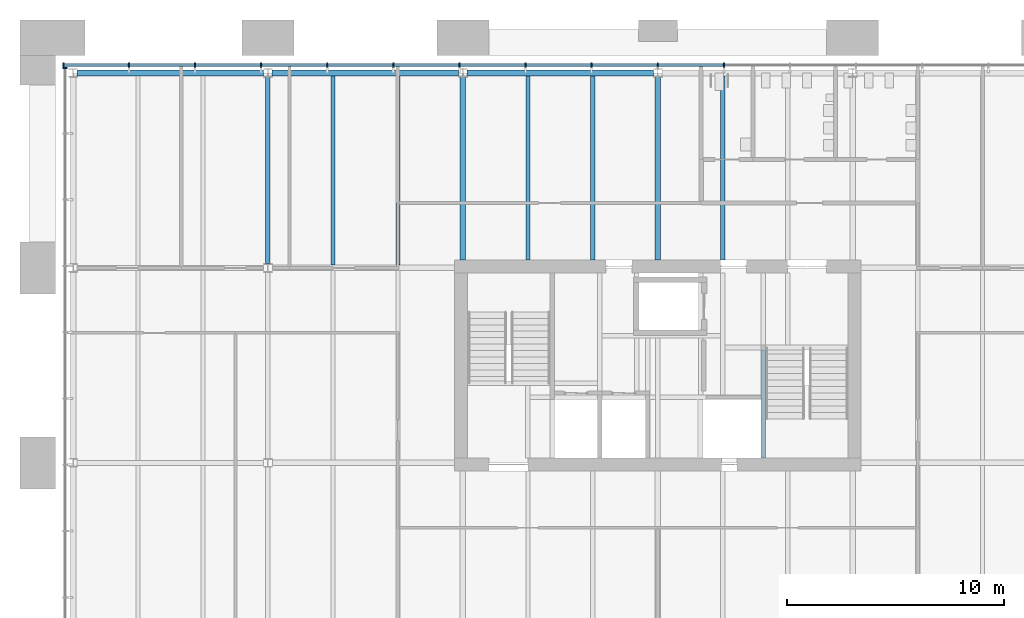
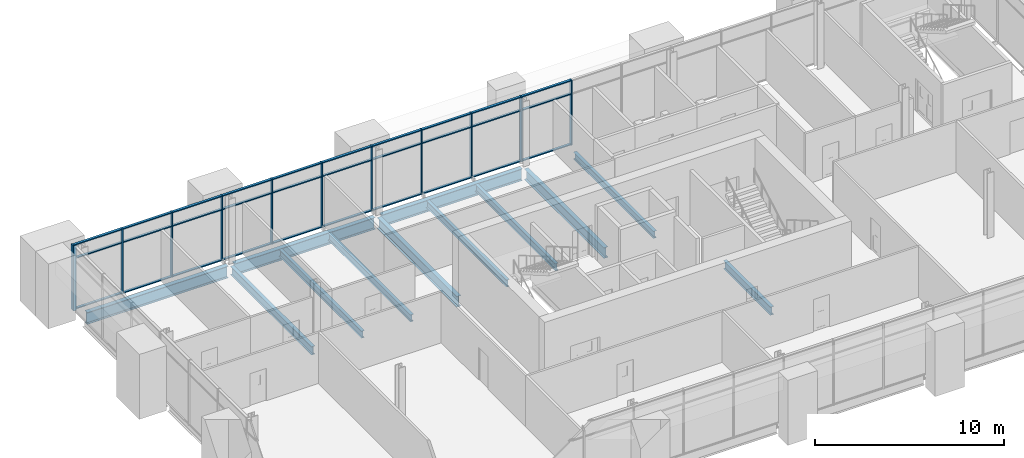
# One storey, part 12 of 43: 42 members, 12 beams, 2 elements without a shape of their own.
"""IFC4 building model written with IfcOpenShell, lengths in metres."""

from ifc_helpers import new_model, si_unit, direction, frame, origin, origin_2d, place, context, subcontext, project, spatial, rectangle, i_section, extrude, material, material_profile, profile_set, type_object, element, aggregate, save


model = new_model("IFC4")

# Units and contexts
model_context = context("Model", 3, precision=1e-05, world=origin(), true_north=direction((0.0, 1.0)))
body_context = subcontext(model_context, "Body", "Model", "MODEL_VIEW")
ifc_project = project(units=[si_unit("LENGTHUNIT", "METRE"), si_unit("AREAUNIT", "SQUARE_METRE"), si_unit("VOLUMEUNIT", "CUBIC_METRE"), si_unit("PLANEANGLEUNIT", "RADIAN"), si_unit("MASSUNIT", "GRAM", prefix="KILO")], contexts=[model_context])

# Site, building, storey
site_placement = place(None, origin())
site = spatial("IfcSite", under=ifc_project, at=site_placement, CompositionType="ELEMENT")
building_placement = place(site_placement, origin())
building = spatial("IfcBuilding", under=site, at=building_placement, Name="Baradari Gate Terminus", CompositionType="ELEMENT")
storey_placement = place(building_placement, frame((0.0, 0.0, 20.10009765625)))
storey = spatial("IfcBuildingStorey", under=building, at=storey_placement, Name="L04", CompositionType="ELEMENT", Elevation=20.10009765625)

# Beam
ifc_material_1 = material(Name="Steel S355", Category="steel")
ifc_material_profile_1 = material_profile(ifc_material_1, i_section(OverallWidth=0.209228515625, OverallDepth=0.533203125, WebThickness=0.010009765625, FlangeThickness=0.015625, FilletRadius=0.0126953125, at=origin_2d()), Name="UB 533x210x92")
ifc_profile_set_1 = profile_set([ifc_material_profile_1], Name="Steel S355")
beam_type_1 = type_object("IfcBeamType", Name="Core floor trimmer beam B22 UB 533x210x92", PredefinedType="BEAM", material=ifc_profile_set_1)
beam_1_placement = place(storey_placement, frame((40.875, 126.22509765625, -0.396728515625), z_axis=(0.0, 1.0, 0.0), x_axis=(-1.0, 0.0, 0.0)))
element("IfcBeam", 1, at=beam_1_placement, inside=storey, type_object=beam_type_1, Name="Core floor trimmer beam B22 40.875:126.225-131.22 L04", PredefinedType="BEAM", context=body_context, shape_type="SweptSolid", body=[
    extrude(i_section(OverallWidth=0.209228515625, OverallDepth=0.533203125, WebThickness=0.010009765625, FlangeThickness=0.015625, FilletRadius=0.0126953125, at=origin_2d()), origin(), (0.0, 0.0, 1.0), 4.9951171875),
])

# Curtain wall, members
ifc_material_2 = material(Name="Aluminium 6063-T6", Category="aluminium")
curtain_wall_type = type_object("IfcCurtainWallType", Name="Curtain wall CW-1 block unitised, zone L02-L05", PredefinedType="NOTDEFINED", material=ifc_material_2)
curtain_wall_1_placement = place(storey_placement, origin())
curtain_wall_1 = element("IfcCurtainWall", 2, at=curtain_wall_1_placement, inside=storey, type_object=curtain_wall_type, Name="Curtain wall CW-1 Operations block N face L04", PredefinedType="NOTDEFINED")
ifc_material_3 = material(Name="Aluminium 6063-T6", Category="aluminium")
ifc_material_profile_2 = material_profile(ifc_material_3, rectangle(XDim=0.199951171875, YDim=0.06494140625, at=origin_2d()), Name="CM-1 65X200")
ifc_profile_set_2 = profile_set([ifc_material_profile_2], Name="Aluminium 6063-T6")
member_type_1 = type_object("IfcMemberType", Name="Curtain wall mullion CM-1 65x200", PredefinedType="MULLION", material=ifc_profile_set_2)
member_1_placement = place(storey_placement, frame((8.5625, 144.3701171875, 0.0), z_axis=(0.0, 0.0, 1.0), x_axis=(0.0, 1.0, 0.0)))
member_1 = element("IfcMember", 3, at=member_1_placement, type_object=member_type_1, Name="CW-1 mullion 1", PredefinedType="MULLION", context=body_context, shape_type="SweptSolid", body=[
    extrude(rectangle(XDim=0.199951171875, YDim=0.06494140625, at=origin_2d()), origin(), (0.0, 0.0, 1.0), 4.199951171875),
])
member_2_placement = place(storey_placement, frame((11.582275390625, 144.3701171875, 0.0), z_axis=(0.0, 0.0, 1.0), x_axis=(0.0, 1.0, 0.0)))
member_2 = element("IfcMember", 4, at=member_2_placement, type_object=member_type_1, Name="CW-1 mullion 2", PredefinedType="MULLION", context=body_context, shape_type="SweptSolid", body=[
    extrude(rectangle(XDim=0.199951171875, YDim=0.06494140625, at=origin_2d()), origin(), (0.0, 0.0, 1.0), 4.199951171875),
])
member_3_placement = place(storey_placement, frame((14.634521484375, 144.3701171875, 0.0), z_axis=(0.0, 0.0, 1.0), x_axis=(0.0, 1.0, 0.0)))
member_3 = element("IfcMember", 5, at=member_3_placement, type_object=member_type_1, Name="CW-1 mullion 3", PredefinedType="MULLION", context=body_context, shape_type="SweptSolid", body=[
    extrude(rectangle(XDim=0.199951171875, YDim=0.06494140625, at=origin_2d()), origin(), (0.0, 0.0, 1.0), 4.199951171875),
])
member_4_placement = place(storey_placement, frame((17.686767578125, 144.3701171875, 0.0), z_axis=(0.0, 0.0, 1.0), x_axis=(0.0, 1.0, 0.0)))
member_4 = element("IfcMember", 6, at=member_4_placement, type_object=member_type_1, Name="CW-1 mullion 4", PredefinedType="MULLION", context=body_context, shape_type="SweptSolid", body=[
    extrude(rectangle(XDim=0.199951171875, YDim=0.06494140625, at=origin_2d()), origin(), (0.0, 0.0, 1.0), 4.199951171875),
])
member_5_placement = place(storey_placement, frame((20.73876953125, 144.3701171875, 0.0), z_axis=(0.0, 0.0, 1.0), x_axis=(0.0, 1.0, 0.0)))
member_5 = element("IfcMember", 7, at=member_5_placement, type_object=member_type_1, Name="CW-1 mullion 5", PredefinedType="MULLION", context=body_context, shape_type="SweptSolid", body=[
    extrude(rectangle(XDim=0.199951171875, YDim=0.06494140625, at=origin_2d()), origin(), (0.0, 0.0, 1.0), 4.199951171875),
])
member_6_placement = place(storey_placement, frame((23.791015625, 144.3701171875, 0.0), z_axis=(0.0, 0.0, 1.0), x_axis=(0.0, 1.0, 0.0)))
member_6 = element("IfcMember", 8, at=member_6_placement, type_object=member_type_1, Name="CW-1 mullion 6", PredefinedType="MULLION", context=body_context, shape_type="SweptSolid", body=[
    extrude(rectangle(XDim=0.199951171875, YDim=0.06494140625, at=origin_2d()), origin(), (0.0, 0.0, 1.0), 4.199951171875),
])
member_7_placement = place(storey_placement, frame((26.84326171875, 144.3701171875, 0.0), z_axis=(0.0, 0.0, 1.0), x_axis=(0.0, 1.0, 0.0)))
member_7 = element("IfcMember", 9, at=member_7_placement, type_object=member_type_1, Name="CW-1 mullion 7", PredefinedType="MULLION", context=body_context, shape_type="SweptSolid", body=[
    extrude(rectangle(XDim=0.199951171875, YDim=0.06494140625, at=origin_2d()), origin(), (0.0, 0.0, 1.0), 4.199951171875),
])
member_8_placement = place(storey_placement, frame((29.8955078125, 144.3701171875, 0.0), z_axis=(0.0, 0.0, 1.0), x_axis=(0.0, 1.0, 0.0)))
member_8 = element("IfcMember", 10, at=member_8_placement, type_object=member_type_1, Name="CW-1 mullion 8", PredefinedType="MULLION", context=body_context, shape_type="SweptSolid", body=[
    extrude(rectangle(XDim=0.199951171875, YDim=0.06494140625, at=origin_2d()), origin(), (0.0, 0.0, 1.0), 4.199951171875),
])
member_9_placement = place(storey_placement, frame((32.94775390625, 144.3701171875, 0.0), z_axis=(0.0, 0.0, 1.0), x_axis=(0.0, 1.0, 0.0)))
member_9 = element("IfcMember", 11, at=member_9_placement, type_object=member_type_1, Name="CW-1 mullion 9", PredefinedType="MULLION", context=body_context, shape_type="SweptSolid", body=[
    extrude(rectangle(XDim=0.199951171875, YDim=0.06494140625, at=origin_2d()), origin(), (0.0, 0.0, 1.0), 4.199951171875),
])
member_10_placement = place(storey_placement, frame((36.0, 144.3701171875, 0.0), z_axis=(0.0, 0.0, 1.0), x_axis=(0.0, 1.0, 0.0)))
member_10 = element("IfcMember", 12, at=member_10_placement, type_object=member_type_1, Name="CW-1 mullion 10", PredefinedType="MULLION", context=body_context, shape_type="SweptSolid", body=[
    extrude(rectangle(XDim=0.199951171875, YDim=0.06494140625, at=origin_2d()), origin(), (0.0, 0.0, 1.0), 4.199951171875),
])
member_11_placement = place(storey_placement, frame((39.05224609375, 144.3701171875, 0.0), z_axis=(0.0, 0.0, 1.0), x_axis=(0.0, 1.0, 0.0)))
member_11 = element("IfcMember", 13, at=member_11_placement, type_object=member_type_1, Name="CW-1 mullion 11", PredefinedType="MULLION", context=body_context, shape_type="SweptSolid", body=[
    extrude(rectangle(XDim=0.199951171875, YDim=0.06494140625, at=origin_2d()), origin(), (0.0, 0.0, 1.0), 4.199951171875),
])

# Curtain wall, member
curtain_wall_2_placement = place(storey_placement, origin())
curtain_wall_2 = element("IfcCurtainWall", 14, at=curtain_wall_2_placement, inside=storey, type_object=curtain_wall_type, Name="Curtain wall CW-1 Operations block W face L04", PredefinedType="NOTDEFINED")
member_12_placement = place(storey_placement, frame((8.6298828125, 144.237548828125, 0.0), z_axis=(0.0, 0.0, 1.0), x_axis=(-1.0, 0.0, 0.0)))
member_12 = element("IfcMember", 15, at=member_12_placement, type_object=member_type_1, Name="CW-1 mullion 10", PredefinedType="MULLION", context=body_context, shape_type="SweptSolid", body=[
    extrude(rectangle(XDim=0.199951171875, YDim=0.06494140625, at=origin_2d()), origin(), (0.0, 0.0, 1.0), 4.199951171875),
])
aggregate(curtain_wall_2, [member_12])

# Member
ifc_material_4 = material(Name="Aluminium 6063-T6", Category="aluminium")
ifc_material_profile_3 = material_profile(ifc_material_4, rectangle(XDim=0.14990234375, YDim=0.06494140625, at=origin_2d()), Name="CT-1 65X150")
ifc_profile_set_3 = profile_set([ifc_material_profile_3], Name="Aluminium 6063-T6")
member_type_2 = type_object("IfcMemberType", Name="Curtain wall transom CT-1 65x150", PredefinedType="USERDEFINED", material=ifc_profile_set_3)
member_13_placement = place(storey_placement, frame((8.594970703125, 144.3701171875, 0.032470703125), z_axis=(1.0, 0.0, 0.0), x_axis=(0.0, 1.0, 0.0)))
member_13 = element("IfcMember", 16, at=member_13_placement, type_object=member_type_2, Name="CW-1 transom 1.1", ObjectType="TRANSOM", PredefinedType="USERDEFINED", context=body_context, shape_type="SweptSolid", body=[
    extrude(rectangle(XDim=0.14990234375, YDim=0.06494140625, at=origin_2d()), origin(), (0.0, 0.0, 1.0), 2.954833984375),
])

member_14_placement = place(storey_placement, frame((8.594970703125, 144.3701171875, 3.2998046875), z_axis=(1.0, 0.0, 0.0), x_axis=(0.0, 1.0, 0.0)))
member_14 = element("IfcMember", 17, at=member_14_placement, type_object=member_type_2, Name="CW-1 transom 1.2", ObjectType="TRANSOM", PredefinedType="USERDEFINED", context=body_context, shape_type="SweptSolid", body=[
    extrude(rectangle(XDim=0.14990234375, YDim=0.06494140625, at=origin_2d()), origin(), (0.0, 0.0, 1.0), 2.954833984375),
])

member_15_placement = place(storey_placement, frame((8.594970703125, 144.3701171875, 4.16748046875), z_axis=(1.0, 0.0, 0.0), x_axis=(0.0, 1.0, 0.0)))
member_15 = element("IfcMember", 18, at=member_15_placement, type_object=member_type_2, Name="CW-1 transom 1.3", ObjectType="TRANSOM", PredefinedType="USERDEFINED", context=body_context, shape_type="SweptSolid", body=[
    extrude(rectangle(XDim=0.14990234375, YDim=0.06494140625, at=origin_2d()), origin(), (0.0, 0.0, 1.0), 2.954833984375),
])

member_16_placement = place(storey_placement, frame((11.61474609375, 144.3701171875, 0.032470703125), z_axis=(1.0, 0.0, 0.0), x_axis=(0.0, 1.0, 0.0)))
member_16 = element("IfcMember", 19, at=member_16_placement, type_object=member_type_2, Name="CW-1 transom 2.1", ObjectType="TRANSOM", PredefinedType="USERDEFINED", context=body_context, shape_type="SweptSolid", body=[
    extrude(rectangle(XDim=0.14990234375, YDim=0.06494140625, at=origin_2d()), origin(), (0.0, 0.0, 1.0), 2.9873046875),
])

member_17_placement = place(storey_placement, frame((11.61474609375, 144.3701171875, 3.2998046875), z_axis=(1.0, 0.0, 0.0), x_axis=(0.0, 1.0, 0.0)))
member_17 = element("IfcMember", 20, at=member_17_placement, type_object=member_type_2, Name="CW-1 transom 2.2", ObjectType="TRANSOM", PredefinedType="USERDEFINED", context=body_context, shape_type="SweptSolid", body=[
    extrude(rectangle(XDim=0.14990234375, YDim=0.06494140625, at=origin_2d()), origin(), (0.0, 0.0, 1.0), 2.9873046875),
])

member_18_placement = place(storey_placement, frame((11.61474609375, 144.3701171875, 4.16748046875), z_axis=(1.0, 0.0, 0.0), x_axis=(0.0, 1.0, 0.0)))
member_18 = element("IfcMember", 21, at=member_18_placement, type_object=member_type_2, Name="CW-1 transom 2.3", ObjectType="TRANSOM", PredefinedType="USERDEFINED", context=body_context, shape_type="SweptSolid", body=[
    extrude(rectangle(XDim=0.14990234375, YDim=0.06494140625, at=origin_2d()), origin(), (0.0, 0.0, 1.0), 2.9873046875),
])

member_19_placement = place(storey_placement, frame((14.6669921875, 144.3701171875, 0.032470703125), z_axis=(1.0, 0.0, 0.0), x_axis=(0.0, 1.0, 0.0)))
member_19 = element("IfcMember", 22, at=member_19_placement, type_object=member_type_2, Name="CW-1 transom 3.1", ObjectType="TRANSOM", PredefinedType="USERDEFINED", context=body_context, shape_type="SweptSolid", body=[
    extrude(rectangle(XDim=0.14990234375, YDim=0.06494140625, at=origin_2d()), origin(), (0.0, 0.0, 1.0), 2.987060546875),
])

member_20_placement = place(storey_placement, frame((14.6669921875, 144.3701171875, 3.2998046875), z_axis=(1.0, 0.0, 0.0), x_axis=(0.0, 1.0, 0.0)))
member_20 = element("IfcMember", 23, at=member_20_placement, type_object=member_type_2, Name="CW-1 transom 3.2", ObjectType="TRANSOM", PredefinedType="USERDEFINED", context=body_context, shape_type="SweptSolid", body=[
    extrude(rectangle(XDim=0.14990234375, YDim=0.06494140625, at=origin_2d()), origin(), (0.0, 0.0, 1.0), 2.987060546875),
])

member_21_placement = place(storey_placement, frame((14.6669921875, 144.3701171875, 4.16748046875), z_axis=(1.0, 0.0, 0.0), x_axis=(0.0, 1.0, 0.0)))
member_21 = element("IfcMember", 24, at=member_21_placement, type_object=member_type_2, Name="CW-1 transom 3.3", ObjectType="TRANSOM", PredefinedType="USERDEFINED", context=body_context, shape_type="SweptSolid", body=[
    extrude(rectangle(XDim=0.14990234375, YDim=0.06494140625, at=origin_2d()), origin(), (0.0, 0.0, 1.0), 2.987060546875),
])

member_22_placement = place(storey_placement, frame((17.71923828125, 144.3701171875, 0.032470703125), z_axis=(1.0, 0.0, 0.0), x_axis=(0.0, 1.0, 0.0)))
member_22 = element("IfcMember", 25, at=member_22_placement, type_object=member_type_2, Name="CW-1 transom 4.1", ObjectType="TRANSOM", PredefinedType="USERDEFINED", context=body_context, shape_type="SweptSolid", body=[
    extrude(rectangle(XDim=0.14990234375, YDim=0.06494140625, at=origin_2d()), origin(), (0.0, 0.0, 1.0), 2.987060546875),
])

member_23_placement = place(storey_placement, frame((17.71923828125, 144.3701171875, 3.2998046875), z_axis=(1.0, 0.0, 0.0), x_axis=(0.0, 1.0, 0.0)))
member_23 = element("IfcMember", 26, at=member_23_placement, type_object=member_type_2, Name="CW-1 transom 4.2", ObjectType="TRANSOM", PredefinedType="USERDEFINED", context=body_context, shape_type="SweptSolid", body=[
    extrude(rectangle(XDim=0.14990234375, YDim=0.06494140625, at=origin_2d()), origin(), (0.0, 0.0, 1.0), 2.987060546875),
])

member_24_placement = place(storey_placement, frame((17.71923828125, 144.3701171875, 4.16748046875), z_axis=(1.0, 0.0, 0.0), x_axis=(0.0, 1.0, 0.0)))
member_24 = element("IfcMember", 27, at=member_24_placement, type_object=member_type_2, Name="CW-1 transom 4.3", ObjectType="TRANSOM", PredefinedType="USERDEFINED", context=body_context, shape_type="SweptSolid", body=[
    extrude(rectangle(XDim=0.14990234375, YDim=0.06494140625, at=origin_2d()), origin(), (0.0, 0.0, 1.0), 2.987060546875),
])

member_25_placement = place(storey_placement, frame((20.771484375, 144.3701171875, 0.032470703125), z_axis=(1.0, 0.0, 0.0), x_axis=(0.0, 1.0, 0.0)))
member_25 = element("IfcMember", 28, at=member_25_placement, type_object=member_type_2, Name="CW-1 transom 5.1", ObjectType="TRANSOM", PredefinedType="USERDEFINED", context=body_context, shape_type="SweptSolid", body=[
    extrude(rectangle(XDim=0.14990234375, YDim=0.06494140625, at=origin_2d()), origin(), (0.0, 0.0, 1.0), 2.987060546875),
])

member_26_placement = place(storey_placement, frame((20.771484375, 144.3701171875, 3.2998046875), z_axis=(1.0, 0.0, 0.0), x_axis=(0.0, 1.0, 0.0)))
member_26 = element("IfcMember", 29, at=member_26_placement, type_object=member_type_2, Name="CW-1 transom 5.2", ObjectType="TRANSOM", PredefinedType="USERDEFINED", context=body_context, shape_type="SweptSolid", body=[
    extrude(rectangle(XDim=0.14990234375, YDim=0.06494140625, at=origin_2d()), origin(), (0.0, 0.0, 1.0), 2.987060546875),
])

member_27_placement = place(storey_placement, frame((20.771484375, 144.3701171875, 4.16748046875), z_axis=(1.0, 0.0, 0.0), x_axis=(0.0, 1.0, 0.0)))
member_27 = element("IfcMember", 30, at=member_27_placement, type_object=member_type_2, Name="CW-1 transom 5.3", ObjectType="TRANSOM", PredefinedType="USERDEFINED", context=body_context, shape_type="SweptSolid", body=[
    extrude(rectangle(XDim=0.14990234375, YDim=0.06494140625, at=origin_2d()), origin(), (0.0, 0.0, 1.0), 2.987060546875),
])

member_28_placement = place(storey_placement, frame((23.82373046875, 144.3701171875, 0.032470703125), z_axis=(1.0, 0.0, 0.0), x_axis=(0.0, 1.0, 0.0)))
member_28 = element("IfcMember", 31, at=member_28_placement, type_object=member_type_2, Name="CW-1 transom 6.1", ObjectType="TRANSOM", PredefinedType="USERDEFINED", context=body_context, shape_type="SweptSolid", body=[
    extrude(rectangle(XDim=0.14990234375, YDim=0.06494140625, at=origin_2d()), origin(), (0.0, 0.0, 1.0), 2.987060546875),
])

member_29_placement = place(storey_placement, frame((23.82373046875, 144.3701171875, 3.2998046875), z_axis=(1.0, 0.0, 0.0), x_axis=(0.0, 1.0, 0.0)))
member_29 = element("IfcMember", 32, at=member_29_placement, type_object=member_type_2, Name="CW-1 transom 6.2", ObjectType="TRANSOM", PredefinedType="USERDEFINED", context=body_context, shape_type="SweptSolid", body=[
    extrude(rectangle(XDim=0.14990234375, YDim=0.06494140625, at=origin_2d()), origin(), (0.0, 0.0, 1.0), 2.987060546875),
])

member_30_placement = place(storey_placement, frame((23.82373046875, 144.3701171875, 4.16748046875), z_axis=(1.0, 0.0, 0.0), x_axis=(0.0, 1.0, 0.0)))
member_30 = element("IfcMember", 33, at=member_30_placement, type_object=member_type_2, Name="CW-1 transom 6.3", ObjectType="TRANSOM", PredefinedType="USERDEFINED", context=body_context, shape_type="SweptSolid", body=[
    extrude(rectangle(XDim=0.14990234375, YDim=0.06494140625, at=origin_2d()), origin(), (0.0, 0.0, 1.0), 2.987060546875),
])

member_31_placement = place(storey_placement, frame((26.875732421875, 144.3701171875, 0.032470703125), z_axis=(1.0, 0.0, 0.0), x_axis=(0.0, 1.0, 0.0)))
member_31 = element("IfcMember", 34, at=member_31_placement, type_object=member_type_2, Name="CW-1 transom 7.1", ObjectType="TRANSOM", PredefinedType="USERDEFINED", context=body_context, shape_type="SweptSolid", body=[
    extrude(rectangle(XDim=0.14990234375, YDim=0.06494140625, at=origin_2d()), origin(), (0.0, 0.0, 1.0), 2.9873046875),
])

member_32_placement = place(storey_placement, frame((26.875732421875, 144.3701171875, 3.2998046875), z_axis=(1.0, 0.0, 0.0), x_axis=(0.0, 1.0, 0.0)))
member_32 = element("IfcMember", 35, at=member_32_placement, type_object=member_type_2, Name="CW-1 transom 7.2", ObjectType="TRANSOM", PredefinedType="USERDEFINED", context=body_context, shape_type="SweptSolid", body=[
    extrude(rectangle(XDim=0.14990234375, YDim=0.06494140625, at=origin_2d()), origin(), (0.0, 0.0, 1.0), 2.9873046875),
])

member_33_placement = place(storey_placement, frame((26.875732421875, 144.3701171875, 4.16748046875), z_axis=(1.0, 0.0, 0.0), x_axis=(0.0, 1.0, 0.0)))
member_33 = element("IfcMember", 36, at=member_33_placement, type_object=member_type_2, Name="CW-1 transom 7.3", ObjectType="TRANSOM", PredefinedType="USERDEFINED", context=body_context, shape_type="SweptSolid", body=[
    extrude(rectangle(XDim=0.14990234375, YDim=0.06494140625, at=origin_2d()), origin(), (0.0, 0.0, 1.0), 2.9873046875),
])

member_34_placement = place(storey_placement, frame((29.927978515625, 144.3701171875, 0.032470703125), z_axis=(1.0, 0.0, 0.0), x_axis=(0.0, 1.0, 0.0)))
member_34 = element("IfcMember", 37, at=member_34_placement, type_object=member_type_2, Name="CW-1 transom 8.1", ObjectType="TRANSOM", PredefinedType="USERDEFINED", context=body_context, shape_type="SweptSolid", body=[
    extrude(rectangle(XDim=0.14990234375, YDim=0.06494140625, at=origin_2d()), origin(), (0.0, 0.0, 1.0), 2.9873046875),
])

member_35_placement = place(storey_placement, frame((29.927978515625, 144.3701171875, 3.2998046875), z_axis=(1.0, 0.0, 0.0), x_axis=(0.0, 1.0, 0.0)))
member_35 = element("IfcMember", 38, at=member_35_placement, type_object=member_type_2, Name="CW-1 transom 8.2", ObjectType="TRANSOM", PredefinedType="USERDEFINED", context=body_context, shape_type="SweptSolid", body=[
    extrude(rectangle(XDim=0.14990234375, YDim=0.06494140625, at=origin_2d()), origin(), (0.0, 0.0, 1.0), 2.9873046875),
])

member_36_placement = place(storey_placement, frame((29.927978515625, 144.3701171875, 4.16748046875), z_axis=(1.0, 0.0, 0.0), x_axis=(0.0, 1.0, 0.0)))
member_36 = element("IfcMember", 39, at=member_36_placement, type_object=member_type_2, Name="CW-1 transom 8.3", ObjectType="TRANSOM", PredefinedType="USERDEFINED", context=body_context, shape_type="SweptSolid", body=[
    extrude(rectangle(XDim=0.14990234375, YDim=0.06494140625, at=origin_2d()), origin(), (0.0, 0.0, 1.0), 2.9873046875),
])

member_37_placement = place(storey_placement, frame((32.980224609375, 144.3701171875, 0.032470703125), z_axis=(1.0, 0.0, 0.0), x_axis=(0.0, 1.0, 0.0)))
member_37 = element("IfcMember", 40, at=member_37_placement, type_object=member_type_2, Name="CW-1 transom 9.1", ObjectType="TRANSOM", PredefinedType="USERDEFINED", context=body_context, shape_type="SweptSolid", body=[
    extrude(rectangle(XDim=0.14990234375, YDim=0.06494140625, at=origin_2d()), origin(), (0.0, 0.0, 1.0), 2.9873046875),
])

member_38_placement = place(storey_placement, frame((32.980224609375, 144.3701171875, 3.2998046875), z_axis=(1.0, 0.0, 0.0), x_axis=(0.0, 1.0, 0.0)))
member_38 = element("IfcMember", 41, at=member_38_placement, type_object=member_type_2, Name="CW-1 transom 9.2", ObjectType="TRANSOM", PredefinedType="USERDEFINED", context=body_context, shape_type="SweptSolid", body=[
    extrude(rectangle(XDim=0.14990234375, YDim=0.06494140625, at=origin_2d()), origin(), (0.0, 0.0, 1.0), 2.9873046875),
])

member_39_placement = place(storey_placement, frame((32.980224609375, 144.3701171875, 4.16748046875), z_axis=(1.0, 0.0, 0.0), x_axis=(0.0, 1.0, 0.0)))
member_39 = element("IfcMember", 42, at=member_39_placement, type_object=member_type_2, Name="CW-1 transom 9.3", ObjectType="TRANSOM", PredefinedType="USERDEFINED", context=body_context, shape_type="SweptSolid", body=[
    extrude(rectangle(XDim=0.14990234375, YDim=0.06494140625, at=origin_2d()), origin(), (0.0, 0.0, 1.0), 2.9873046875),
])

member_40_placement = place(storey_placement, frame((36.032470703125, 144.3701171875, 0.032470703125), z_axis=(1.0, 0.0, 0.0), x_axis=(0.0, 1.0, 0.0)))
member_40 = element("IfcMember", 43, at=member_40_placement, type_object=member_type_2, Name="CW-1 transom 10.1", ObjectType="TRANSOM", PredefinedType="USERDEFINED", context=body_context, shape_type="SweptSolid", body=[
    extrude(rectangle(XDim=0.14990234375, YDim=0.06494140625, at=origin_2d()), origin(), (0.0, 0.0, 1.0), 2.9873046875),
])

member_41_placement = place(storey_placement, frame((36.032470703125, 144.3701171875, 3.2998046875), z_axis=(1.0, 0.0, 0.0), x_axis=(0.0, 1.0, 0.0)))
member_41 = element("IfcMember", 44, at=member_41_placement, type_object=member_type_2, Name="CW-1 transom 10.2", ObjectType="TRANSOM", PredefinedType="USERDEFINED", context=body_context, shape_type="SweptSolid", body=[
    extrude(rectangle(XDim=0.14990234375, YDim=0.06494140625, at=origin_2d()), origin(), (0.0, 0.0, 1.0), 2.9873046875),
])

member_42_placement = place(storey_placement, frame((36.032470703125, 144.3701171875, 4.16748046875), z_axis=(1.0, 0.0, 0.0), x_axis=(0.0, 1.0, 0.0)))
member_42 = element("IfcMember", 45, at=member_42_placement, type_object=member_type_2, Name="CW-1 transom 10.3", ObjectType="TRANSOM", PredefinedType="USERDEFINED", context=body_context, shape_type="SweptSolid", body=[
    extrude(rectangle(XDim=0.14990234375, YDim=0.06494140625, at=origin_2d()), origin(), (0.0, 0.0, 1.0), 2.9873046875),
])

aggregate(curtain_wall_1, [member_1, member_2, member_3, member_4, member_5, member_6, member_7, member_8, member_9, member_10, member_11, member_13, member_14, member_15, member_16, member_17, member_18, member_19, member_20, member_21, member_22, member_23, member_24, member_25, member_26, member_27, member_28, member_29, member_30, member_31, member_32, member_33, member_34, member_35, member_36, member_37, member_38, member_39, member_40, member_41, member_42])

# Beams
ifc_material_5 = material(Name="Steel S355", Category="steel")
ifc_material_profile_4 = material_profile(ifc_material_5, i_section(OverallWidth=0.25439453125, OverallDepth=0.6875, WebThickness=0.01318359375, FlangeThickness=0.02099609375, FilletRadius=0.01513671875, at=origin_2d()), Name="UB 686x254x152")
ifc_profile_set_4 = profile_set([ifc_material_profile_4], Name="Steel S355")
beam_type_2 = type_object("IfcBeamType", Name="Operations block coupling beam B26 UB 686x254x152", PredefinedType="BEAM", material=ifc_profile_set_4)
for number, where, z_axis, x_axis, name in (
    (46, (27.0, 135.375, -0.473876953125), (0.0, 1.0, 0.0), (-1.0, 0.0, 0.0), "Operations block coupling beam B26 4:135.375-143.81 L04"),
    (47, (36.0, 135.375, -0.473876953125), (0.0, 1.0, 0.0), (-1.0, 0.0, 0.0), "Operations block coupling beam B26 5:135.375-143.81 L04"),
):
    element("IfcBeam", number, at=place(storey_placement, frame(where, z_axis=z_axis, x_axis=x_axis)), inside=storey, type_object=beam_type_2, Name=name, PredefinedType="BEAM", context=body_context, shape_type="SweptSolid", body=[
        extrude(i_section(OverallWidth=0.25439453125, OverallDepth=0.6875, WebThickness=0.01318359375, FlangeThickness=0.02099609375, FilletRadius=0.01513671875, at=origin_2d()), origin(), (0.0, 0.0, 1.0), 8.4345703125),
    ])
ifc_material_6 = material(Name="Steel S355", Category="steel")
ifc_material_profile_5 = material_profile(ifc_material_6, i_section(OverallWidth=0.210693359375, OverallDepth=0.53955078125, WebThickness=0.01171875, FlangeThickness=0.018798828125, FilletRadius=0.0126953125, at=origin_2d()), Name="UB 533x210x109")
ifc_profile_set_5 = profile_set([ifc_material_profile_5], Name="Steel S355")
beam_type_3 = type_object("IfcBeamType", Name="Operations block girder B29 UB 533x210x109", PredefinedType="BEAM", material=ifc_profile_set_5)
beam_2_placement = place(storey_placement, frame((18.0, 135.203125, -0.39990234375), z_axis=(0.0, 1.0, 0.0), x_axis=(-1.0, 0.0, 0.0)))
element("IfcBeam", 48, at=beam_2_placement, inside=storey, type_object=beam_type_3, Name="Operations block girder B29 3:135.203-143.81 L04", PredefinedType="BEAM", context=body_context, shape_type="SweptSolid", body=[
    extrude(i_section(OverallWidth=0.210693359375, OverallDepth=0.53955078125, WebThickness=0.01171875, FlangeThickness=0.018798828125, FilletRadius=0.0126953125, at=origin_2d()), origin(), (0.0, 0.0, 1.0), 8.6064453125),
])
ifc_material_7 = material(Name="Steel S355", Category="steel")
ifc_material_profile_6 = material_profile(ifc_material_7, i_section(OverallWidth=0.2666015625, OverallDepth=0.76220703125, WebThickness=0.014404296875, FlangeThickness=0.021484375, FilletRadius=0.0166015625, at=origin_2d()), Name="UB 762x267x173")
ifc_profile_set_6 = profile_set([ifc_material_profile_6], Name="Steel S355")
beam_type_4 = type_object("IfcBeamType", Name="Operations block moment frame beam B24 UB 762x267x173", PredefinedType="BEAM", material=ifc_profile_set_6)
for number, where, z_axis, x_axis, name in (
    (49, (9.197509765625, 144.0, -0.51123046875), (1.0, 0.0, 0.0), (0.0, 1.0, 0.0), "Operations block moment frame beam B24 S:9.197-17.803 L04"),
    (50, (18.197509765625, 144.0, -0.51123046875), (1.0, 0.0, 0.0), (0.0, 1.0, 0.0), "Operations block moment frame beam B24 S:18.197-26.803 L04"),
    (51, (27.197509765625, 144.0, -0.51123046875), (1.0, 0.0, 0.0), (0.0, 1.0, 0.0), "Operations block moment frame beam B24 S:27.197-35.803 L04"),
):
    element("IfcBeam", number, at=place(storey_placement, frame(where, z_axis=z_axis, x_axis=x_axis)), inside=storey, type_object=beam_type_4, Name=name, PredefinedType="BEAM", context=body_context, shape_type="SweptSolid", body=[
        extrude(i_section(OverallWidth=0.2666015625, OverallDepth=0.76220703125, WebThickness=0.014404296875, FlangeThickness=0.021484375, FilletRadius=0.0166015625, at=origin_2d()), origin(), (0.0, 0.0, 1.0), 8.60498046875),
    ])
ifc_material_8 = material(Name="Steel S355", Category="steel")
ifc_material_profile_7 = material_profile(ifc_material_8, i_section(OverallWidth=0.18994140625, OverallDepth=0.453369140625, WebThickness=0.008544921875, FlangeThickness=0.0126953125, FilletRadius=0.01025390625, at=origin_2d()), Name="UB 457x191x67")
ifc_profile_set_7 = profile_set([ifc_material_profile_7], Name="Steel S355")
beam_type_5 = type_object("IfcBeamType", Name="Operations block secondary beam B28 UB 457x191x67", PredefinedType="BEAM", material=ifc_profile_set_7)
for number, where, z_axis, x_axis, name in (
    (52, (21.0, 135.127197265625, -0.356689453125), (0.0, 1.0, 0.0), (-1.0, 0.0, 0.0), "Operations block secondary beam B28 21:135.127-143.867 L04"),
    (53, (24.0, 135.127197265625, -0.356689453125), (0.0, 1.0, 0.0), (-1.0, 0.0, 0.0), "Operations block secondary beam B28 24:135.127-143.867 L04"),
):
    element("IfcBeam", number, at=place(storey_placement, frame(where, z_axis=z_axis, x_axis=x_axis)), inside=storey, type_object=beam_type_5, Name=name, PredefinedType="BEAM", context=body_context, shape_type="SweptSolid", body=[
        extrude(i_section(OverallWidth=0.18994140625, OverallDepth=0.453369140625, WebThickness=0.008544921875, FlangeThickness=0.0126953125, FilletRadius=0.01025390625, at=origin_2d()), origin(), (0.0, 0.0, 1.0), 8.739501953125),
    ])
for number, where, z_axis, x_axis, name in (
    (54, (30.0, 135.375, -0.356689453125), (0.0, 1.0, 0.0), (-1.0, 0.0, 0.0), "Operations block secondary beam B28 30:135.375-143.867 L04"),
    (55, (33.0, 135.375, -0.356689453125), (0.0, 1.0, 0.0), (-1.0, 0.0, 0.0), "Operations block secondary beam B28 33:135.375-143.867 L04"),
    (56, (39.0, 135.375, -0.356689453125), (0.0, 1.0, 0.0), (-1.0, 0.0, 0.0), "Operations block secondary beam B28 39:135.375-143.867 L04"),
):
    element("IfcBeam", number, at=place(storey_placement, frame(where, z_axis=z_axis, x_axis=x_axis)), inside=storey, type_object=beam_type_5, Name=name, PredefinedType="BEAM", context=body_context, shape_type="SweptSolid", body=[
        extrude(i_section(OverallWidth=0.18994140625, OverallDepth=0.453369140625, WebThickness=0.008544921875, FlangeThickness=0.0126953125, FilletRadius=0.01025390625, at=origin_2d()), origin(), (0.0, 0.0, 1.0), 8.49169921875),
    ])

save(model, "model.ifc")
